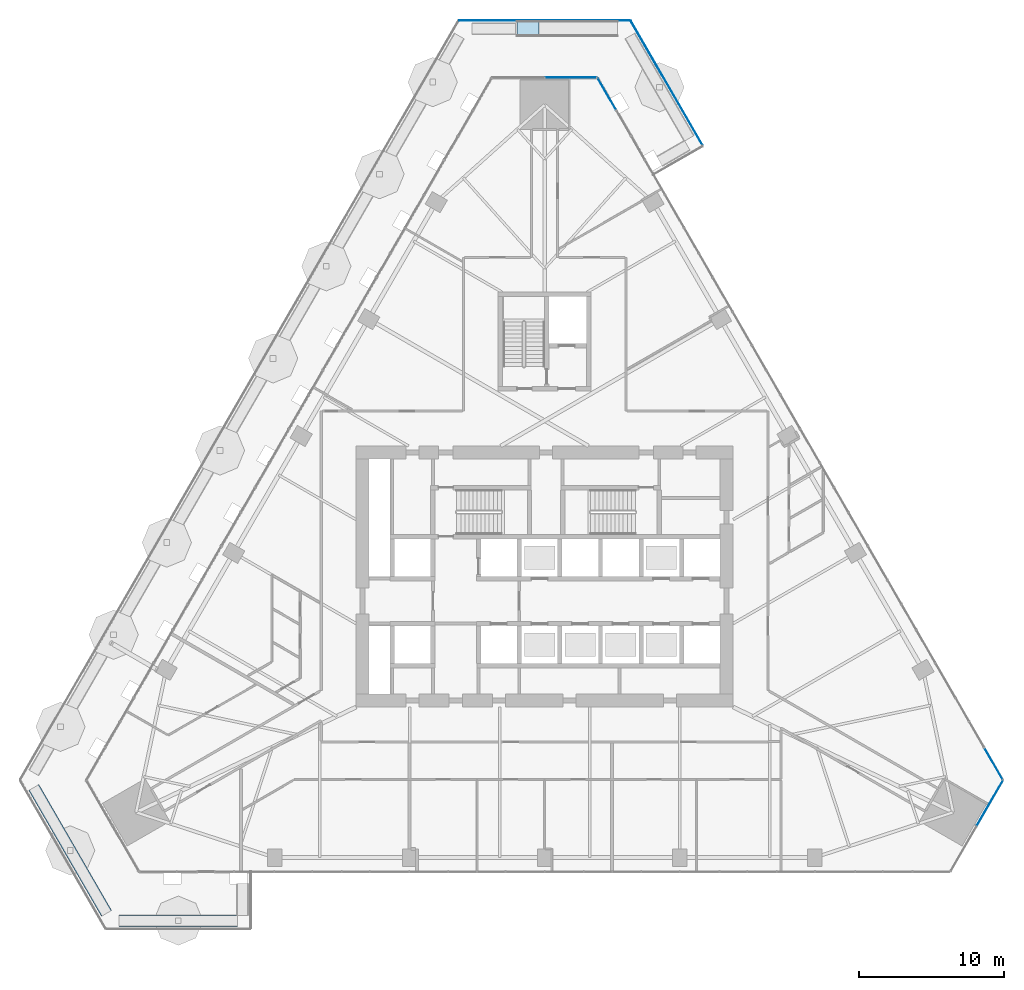
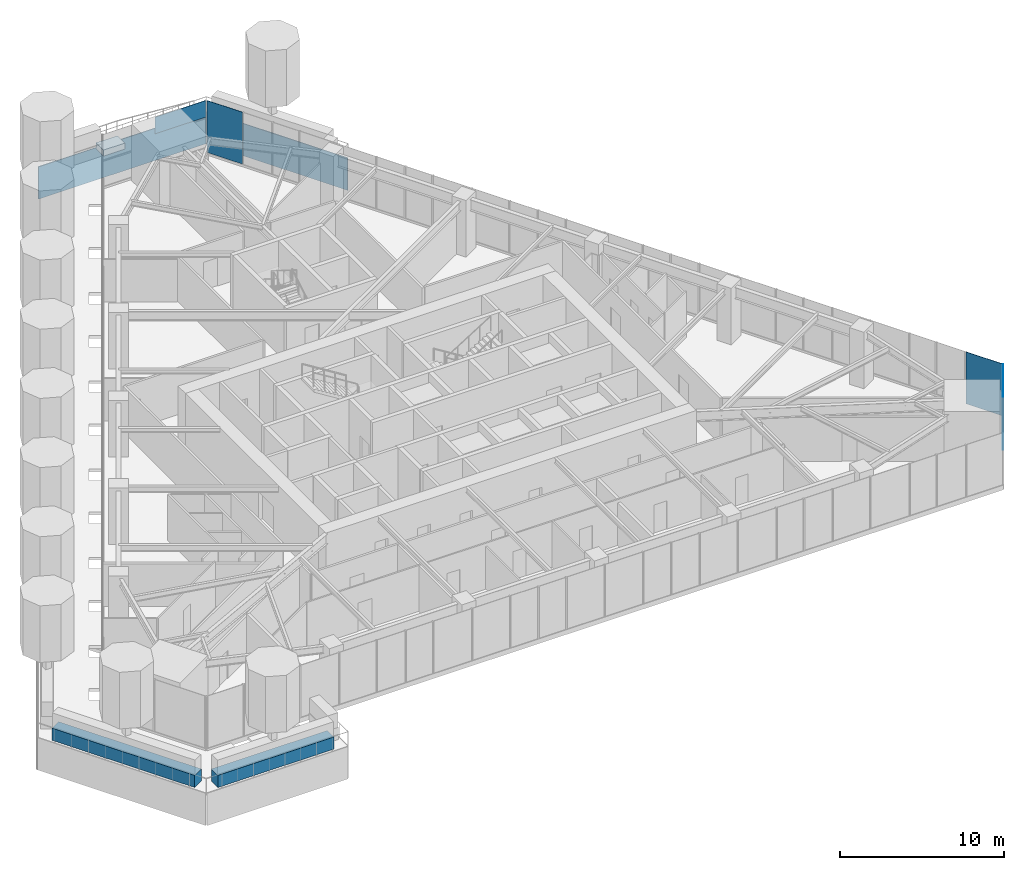
# One storey, part 16 of 25: 7 plates, 2 walls, 1 slab, 3 elements without a shape of their own.
"""IFC4 building model written with IfcOpenShell, lengths in metres."""

from ifc_helpers import new_model, si_unit, direction, frame, frame_2d, origin, place, context, subcontext, project, spatial, polyline, rectangle, outline, extrude, material, layer, layer_set, type_object, element, aggregate, save


model = new_model("IFC4")

# Units and contexts
model_context = context("Model", 3, precision=1e-05, world=origin(), true_north=direction((0.0, 1.0)))
body_context = subcontext(model_context, "Body", "Model", "MODEL_VIEW")
ifc_project = project(units=[si_unit("LENGTHUNIT", "METRE"), si_unit("AREAUNIT", "SQUARE_METRE"), si_unit("VOLUMEUNIT", "CUBIC_METRE"), si_unit("PLANEANGLEUNIT", "RADIAN"), si_unit("MASSUNIT", "GRAM", prefix="KILO")], contexts=[model_context])

# Site, building, storey
site_placement = place(None, origin())
site = spatial("IfcSite", under=ifc_project, at=site_placement, CompositionType="ELEMENT")
building_placement = place(site_placement, origin())
building = spatial("IfcBuilding", under=site, at=building_placement, Name="Firuza Gate Tower and Library", CompositionType="ELEMENT")
storey_placement = place(building_placement, frame((0.0, 0.0, 119.800048828125)))
storey = spatial("IfcBuildingStorey", under=building, at=storey_placement, Name="L27", CompositionType="ELEMENT", Elevation=119.800048828125)

# Curtain wall, plate
ifc_material_1 = material(Name="Aluminium 6063-T6", Category="aluminium")
ifc_layer_1 = layer(ifc_material_1, 0.14990234375)
ifc_layer_set_1 = layer_set([ifc_layer_1], Name="Corner curtain wall, chamfers")
curtain_wall_type_1 = type_object("IfcCurtainWallType", Name="Corner curtain wall, chamfers", PredefinedType="NOTDEFINED", material=ifc_layer_set_1)
placement = place(storey_placement, origin())
curtain_wall_1 = element("IfcCurtainWall", 1, at=placement, inside=storey, type_object=curtain_wall_type_1, Name="CW4 L27 SE corner", PredefinedType="NOTDEFINED")
ifc_material_2 = material(Name="Fritted glass", Category="glass")
ifc_layer_2 = layer(ifc_material_2, 0.030029296875)
ifc_layer_set_2 = layer_set([ifc_layer_2], Name="Fritted glass unit, corners")
plate_type_1 = type_object("IfcPlateType", Name="Fritted glass unit, corners", PredefinedType="CURTAIN_PANEL", material=ifc_layer_set_2)
plate_1_placement = place(storey_placement, frame((104.813232421875, 57.83349609375, 0.14990234375), z_axis=(0.866046390552, -0.49996364809, 0.0), x_axis=(0.49996364809, 0.866046390552, 0.0)))
plate_1 = element("IfcPlate", 2, at=plate_1_placement, type_object=plate_type_1, Name="Glass unit", PredefinedType="CURTAIN_PANEL", context=body_context, shape_type="SweptSolid", body=[
    extrude(outline(polyline([(0.0, 0.0), (3.563247342942594, 0.0), (3.563247342942594, 1.885009765625), (0.0, 1.885009765625), (0.0, 0.0)])), origin(), (0.0, 0.0, -1.0), 0.030029296875),
])

# Slab
ifc_material_3 = material(Name="Concrete C40/50", Category="concrete")
ifc_layer_3 = layer(ifc_material_3, 0.449951171875)
ifc_layer_set_3 = layer_set([ifc_layer_3], Name="Garden deck 450")
slab_type = type_object("IfcSlabType", Name="Garden deck 450", PredefinedType="FLOOR", material=ifc_layer_set_3)
element("IfcSlab", 3, at=placement, inside=storey, type_object=slab_type, Name="Garden deck 3", PredefinedType="FLOOR", context=body_context, shape_type="SweptSolid", body=[
    extrude(outline(polyline([(74.61083984375, 113.212158203125), (73.109375, 113.212158203125), (73.109375, 112.31201171875), (74.61083984375, 112.31201171875), (74.61083984375, 113.212158203125)])), origin(), (0.0, 0.0, 1.0), 0.449951171875),
])

# Plate
ifc_material_4 = material(Name="Glazed ceramic tile")
ifc_layer_4 = layer(ifc_material_4, 0.030029296875)
ifc_layer_set_4 = layer_set([ifc_layer_4], Name="Opaque ceramic panel, corners")
plate_type_2 = type_object("IfcPlateType", Name="Opaque ceramic panel, corners", PredefinedType="CURTAIN_PANEL", material=ifc_layer_set_4)
plate_2_placement = place(storey_placement, frame((104.813232421875, 57.83349609375, 2.114990234375), z_axis=(0.866046390552, -0.49996364809, 0.0), x_axis=(0.49996364809, 0.866046390552, 0.0)))
plate_2 = element("IfcPlate", 4, at=plate_2_placement, type_object=plate_type_2, Name="Opaque ceramic panel", PredefinedType="CURTAIN_PANEL", context=body_context, shape_type="SweptSolid", body=[
    extrude(outline(polyline([(0.0, 0.0), (3.563247342942594, 0.0), (3.563247342942594, 1.885009765625), (0.0, 1.885009765625), (0.0, 0.0)])), origin(), (0.0, 0.0, -1.0), 0.030029296875),
])

aggregate(curtain_wall_1, [plate_1, plate_2])

# Curtain wall, plate
curtain_wall_2 = element("IfcCurtainWall", 5, at=placement, inside=storey, type_object=curtain_wall_type_1, Name="CW4 L27 N corner", PredefinedType="NOTDEFINED")
plate_3_placement = place(storey_placement, frame((78.603271484375, 109.402099609375, 2.764892578125), z_axis=(0.0, 1.0, 0.0), x_axis=(-1.0, 0.0, 0.0)))
plate_3 = element("IfcPlate", 6, at=plate_3_placement, type_object=plate_type_2, Name="Opaque ceramic panel", PredefinedType="CURTAIN_PANEL", context=body_context, shape_type="SweptSolid", body=[
    extrude(outline(polyline([(0.0, 0.0), (3.563232421875, 0.0), (3.563232421875, 1.235107421875), (0.0, 1.235107421875), (0.0, 0.0)])), origin(), (0.0, 0.0, -1.0), 0.030029296875),
])
aggregate(curtain_wall_2, [plate_3])

# Curtain wall, plates
ifc_material_5 = material(Name="Aluminium 6063-T6", Category="aluminium")
ifc_layer_5 = layer(ifc_material_5, 0.14990234375)
ifc_layer_set_5 = layer_set([ifc_layer_5], Name="Unitised curtain wall, offices")
curtain_wall_type_2 = type_object("IfcCurtainWallType", Name="Unitised curtain wall, offices", PredefinedType="NOTDEFINED", material=ifc_layer_set_5)
curtain_wall_3 = element("IfcCurtainWall", 7, at=placement, inside=storey, type_object=curtain_wall_type_2, Name="CW1 L27 E face", PredefinedType="NOTDEFINED")
ifc_material_6 = material(Name="Glazed ceramic tile")
ifc_layer_6 = layer(ifc_material_6, 0.030029296875)
ifc_layer_set_6 = layer_set([ifc_layer_6], Name="Opaque ceramic panel, offices")
plate_type_3 = type_object("IfcPlateType", Name="Opaque ceramic panel, offices", PredefinedType="CURTAIN_PANEL", material=ifc_layer_set_6)
plate_4_placement = place(storey_placement, frame((106.5947265625, 61.003662109375, 0.14990234375), z_axis=(0.866025649656, 0.499999574138, 0.0), x_axis=(-0.499999574138, 0.866025649656, 0.0)))
plate_4 = element("IfcPlate", 8, at=plate_4_placement, type_object=plate_type_3, Name="Opaque ceramic panel", PredefinedType="CURTAIN_PANEL", context=body_context, shape_type="SweptSolid", body=[
    extrude(outline(polyline([(0.0, 0.0), (2.516603705953352, 0.0), (2.516603705953352, 3.85009765625), (0.0, 3.85009765625), (0.0, 0.0)])), origin(), (0.0, 0.0, -1.0), 0.030029296875),
])
plate_5_placement = place(storey_placement, frame((79.9345703125, 107.1806640625, 0.14990234375), z_axis=(0.866001393654, 0.50004158446, 0.0), x_axis=(-0.50004158446, 0.866001393654, 0.0)))
plate_5 = element("IfcPlate", 9, at=plate_5_placement, type_object=plate_type_3, Name="Opaque ceramic panel", PredefinedType="CURTAIN_PANEL", context=body_context, shape_type="SweptSolid", body=[
    extrude(outline(polyline([(0.0, 0.0), (2.5163922768707927, 0.0), (2.5163922768707927, 3.850097656250001), (0.0, 3.850097656250001), (0.0, 0.0)])), origin(), (0.0, 0.0, -1.0), 0.030029296875),
])
aggregate(curtain_wall_3, [plate_4, plate_5])

# Plates
ifc_material_7 = material(Name="Aluminium 6063-T6", Category="aluminium")
ifc_layer_7 = layer(ifc_material_7, 0.050048828125)
ifc_layer_set_7 = layer_set([ifc_layer_7], Name="Tray fascia panel 50")
plate_type_4 = type_object("IfcPlateType", Name="Tray fascia panel 50", PredefinedType="SHEET", material=ifc_layer_set_7)
plate_6_placement = place(storey_placement, frame((85.9130859375, 104.7451171875, -2.400146484375), z_axis=(0.866045834179, 0.499964611848, 0.0), x_axis=(-0.499964611848, 0.866045834179, 0.0)))
element("IfcPlate", 10, at=plate_6_placement, inside=storey, type_object=plate_type_4, Name="Tray fascia L27 1", PredefinedType="SHEET", context=body_context, shape_type="SweptSolid", body=[
    extrude(outline(polyline([(0.0, 0.0), (9.890836755616073, 0.0), (9.890836755616073, 2.400146484375), (0.0, 2.400146484375), (0.0, 0.0)])), origin(), (0.0, 0.0, -1.0), 0.050048828125),
])
plate_7_placement = place(storey_placement, frame((80.87890625, 113.362060546875, -2.400146484375), z_axis=(0.0, 1.0, 0.0), x_axis=(-1.0, 0.0, 0.0)))
element("IfcPlate", 11, at=plate_7_placement, inside=storey, type_object=plate_type_4, Name="Tray fascia L27 2", PredefinedType="SHEET", context=body_context, shape_type="SweptSolid", body=[
    extrude(outline(polyline([(0.0, 0.0), (11.7578125, 0.0), (11.7578125, 2.400146484375), (0.0, 2.400146484375), (0.0, 0.0)])), origin(), (0.0, 0.0, -1.0), 0.050048828125),
])

# Walls
ifc_material_8 = material(Name="Concrete C40/50", Category="concrete")
ifc_layer_8 = layer(ifc_material_8, 0.800048828125)
ifc_layer_set_8 = layer_set([ifc_layer_8], Name="Planter wall 800")
wall_type = type_object("IfcWallType", Name="Planter wall 800", PredefinedType="SOLIDWALL", material=ifc_layer_set_8)
wall_1_placement = place(storey_placement, frame((39.792236328125, 60.457275390625, 0.0), z_axis=(0.0, 0.0, 1.0), x_axis=(0.50001002959, -0.86601961312, 0.0)))
element("IfcWall", 12, at=wall_1_placement, inside=storey, type_object=wall_type, Name="PLANTER L27 5", PredefinedType="SOLIDWALL", context=body_context, shape_type="SweptSolid", body=[
    extrude(rectangle(XDim=10.018798828125, YDim=0.800048828125, at=frame_2d((5.00927734375, 0.0))), origin(), (0.0, 0.0, 1.0), 0.89990234375),
])
wall_2_placement = place(storey_placement, frame((45.675537109375, 51.2763671875, 0.0), z_axis=(0.0, 0.0, 1.0), x_axis=(1.0, 0.0, 0.0)))
element("IfcWall", 13, at=wall_2_placement, inside=storey, type_object=wall_type, Name="PLANTER L27 6", PredefinedType="SOLIDWALL", context=body_context, shape_type="SweptSolid", body=[
    extrude(rectangle(XDim=8.150634765625, YDim=0.800048828125, at=frame_2d((4.0751953125, 0.0))), origin(), (0.0, 0.0, 1.0), 0.89990234375),
])

save(model, "model.ifc")
